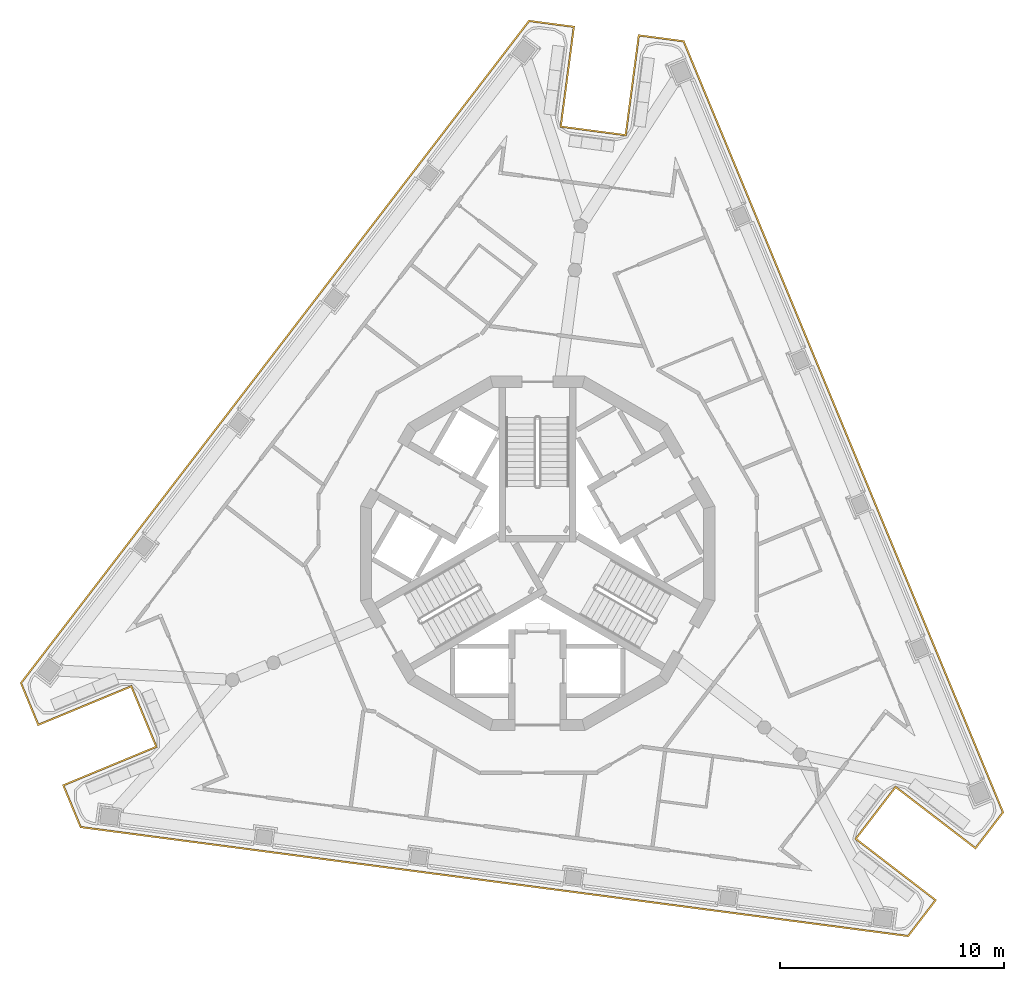
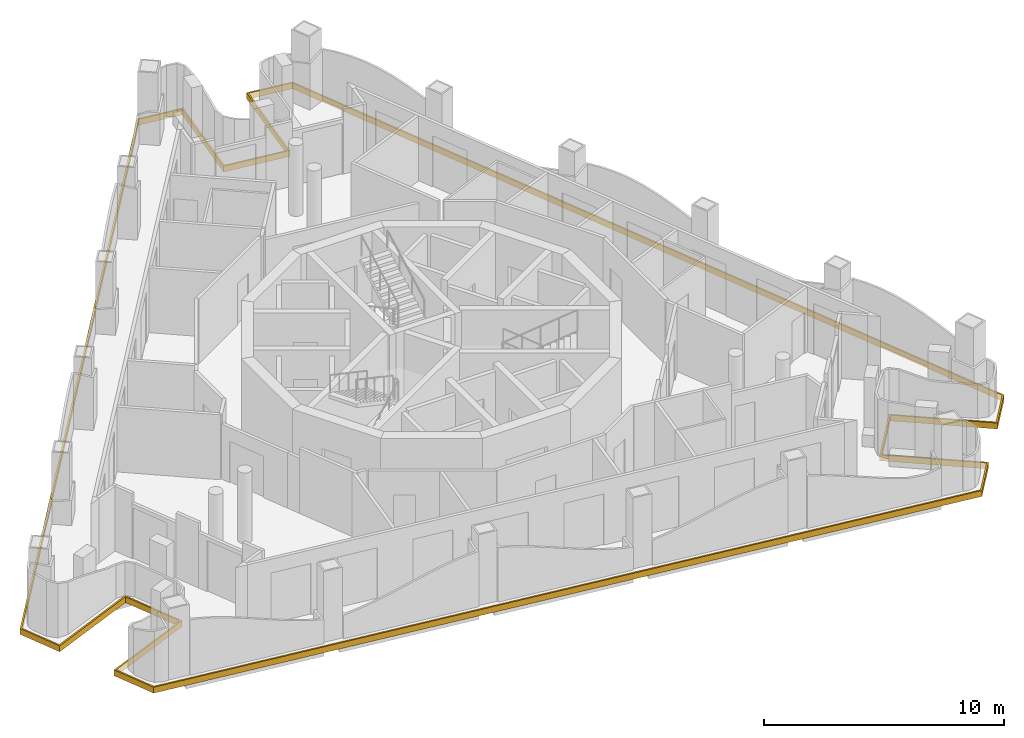
# One storey, part 9 of 12: 1 covering.
"""IFC4 building model written with IfcOpenShell, lengths in metres."""

from ifc_helpers import new_model, si_unit, direction, frame, origin, place, context, subcontext, project, spatial, polyline, outline, extrude, material, layer, layer_set, type_object, element, save


model = new_model("IFC4")

# Units and contexts
model_context = context("Model", 3, precision=1e-05, world=origin(), true_north=direction((0.0, 1.0)))
body_context = subcontext(model_context, "Body", "Model", "MODEL_VIEW")
ifc_project = project(units=[si_unit("LENGTHUNIT", "METRE"), si_unit("AREAUNIT", "SQUARE_METRE"), si_unit("VOLUMEUNIT", "CUBIC_METRE"), si_unit("PLANEANGLEUNIT", "RADIAN"), si_unit("MASSUNIT", "GRAM", prefix="KILO")], contexts=[model_context])

# Site, building, storey
site_placement = place(None, origin())
site = spatial("IfcSite", under=ifc_project, at=site_placement, CompositionType="ELEMENT")
building_placement = place(site_placement, origin())
building = spatial("IfcBuilding", under=site, at=building_placement, Name="Trine Commons Tower", CompositionType="ELEMENT")
storey_placement = place(building_placement, frame((0.0, 0.0, 289.800048828125)))
storey = spatial("IfcBuildingStorey", under=building, at=storey_placement, Name="L76", CompositionType="ELEMENT", Elevation=289.800048828125)

# Covering
ifc_material = material(Name="Limestone, honed", Category="masonry")
ifc_layer = layer(ifc_material, 0.074951171875)
ifc_layer_set = layer_set([ifc_layer], Name="Limestone, honed")
covering_type = type_object("IfcCoveringType", Name="Limestone spandrel panel 75", PredefinedType="CLADDING", material=ifc_layer_set)
covering_placement = place(storey_placement, frame((0.0, 0.0, -0.300048828125)))
element("IfcCovering", 1, at=covering_placement, inside=storey, type_object=covering_type, Name="Limestone spandrel panel 8-01", PredefinedType="CLADDING", context=body_context, shape_type="SweptSolid", body=[
    extrude(outline(polyline([(96.011962890625, 52.009765625), (99.58203125, 49.2705078125), (100.849609375, 50.92236328125), (86.556396484375, 85.429443359375), (84.49169921875, 85.701416015625), (83.904296875, 81.23974609375), (81.078857421875, 81.61181640625), (81.666259765625, 86.0732421875), (79.6015625, 86.34521484375), (56.8642578125, 56.713134765625), (57.6611328125, 54.789306640625), (61.818603515625, 56.511474609375), (62.9091796875, 53.87841796875), (58.751708984375, 52.15625), (59.548583984375, 50.232421875), (96.579345703125, 45.357177734375), (97.846923828125, 47.00927734375), (94.277099609375, 49.748779296875), (96.011962890625, 52.009765625)]), holes=[polyline([(84.556396484375, 85.6171875), (86.503662109375, 85.36083984375), (100.763916015625, 50.933837890625), (99.568115234375, 49.37548828125), (95.998046875, 52.114990234375), (94.171875, 49.73486328125), (97.741943359375, 46.99560546875), (96.546142578125, 45.437255859375), (59.601318359375, 50.301025390625), (58.849853515625, 52.11572265625), (63.007080078125, 53.837890625), (61.859130859375, 56.609375), (57.70166015625, 54.88720703125), (56.9501953125, 56.701904296875), (79.634765625, 86.26513671875), (81.58203125, 86.0087890625), (80.99462890625, 81.54736328125), (83.968994140625, 81.15576171875), (84.556396484375, 85.6171875)])]), origin(), (0.0, 0.0, 1.0), 0.300048828125),
])

save(model, "model.ifc")
